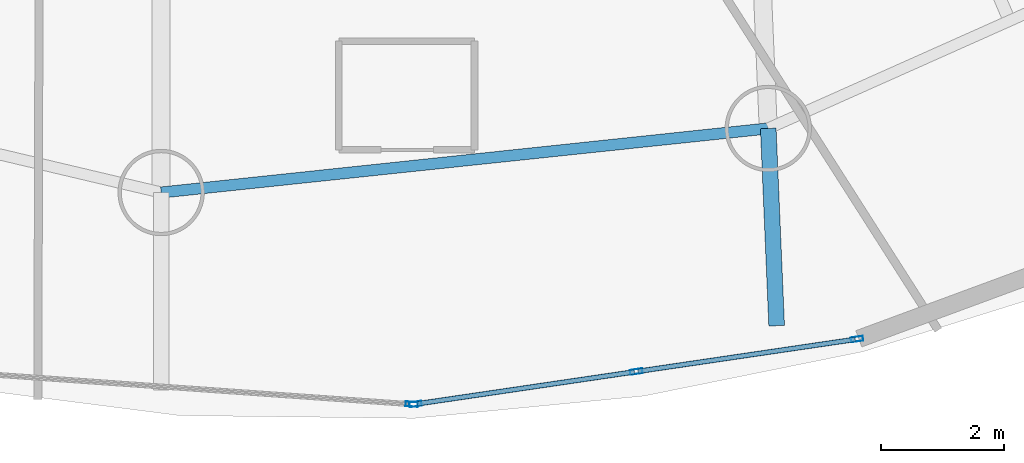
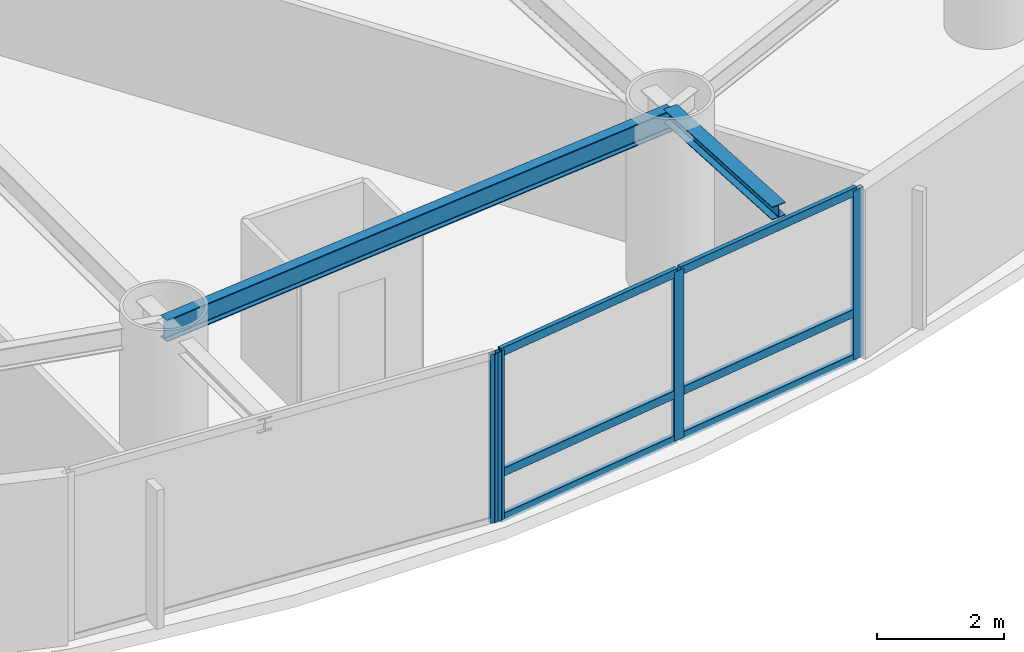
# One storey, part 8 of 22: 10 members, 2 beams, 2 elements without a shape of their own.
"""IFC4 building model written with IfcOpenShell, lengths in metres."""

import ifcopenshell
import ifcopenshell.guid

model = None  # the IFC model being written
_history = None  # IfcOwnerHistory: only IFC2X3 demands one
_inside = {}  # id of a spatial element -> (the spatial element, [elements in it])
_under = {}  # id of a project, library or spatial element -> (it, [spatial elements below it])
_declared = {}  # id of a project -> (the project, [libraries it declares])
_typed = {}  # id of a type object -> (the type object, [elements of that type])
_made_of = {}  # id of a material, layer set ... -> (it, [elements and type objects made of it])


def new_model(schema):
    """Start an empty IFC model of exactly this schema.

    Asked for "IFC4X3", IfcOpenShell would pick the latest addendum, in which some entities
    have other attributes; the version numbers below select the first issue.
    IFC2X3 requires an IfcOwnerHistory on every rooted entity: one is made here for all.
    """
    global model, _history
    if schema == "IFC4X3":
        model = ifcopenshell.file(schema_version=(4, 3, 0, 0))
    else:
        model = ifcopenshell.file(schema=schema)
    _inside.clear()
    _under.clear()
    _declared.clear()
    _typed.clear()
    _made_of.clear()
    _history = None
    if model.schema == "IFC2X3":
        org = make("IfcOrganization", Name="unknown")
        user = make(
            "IfcPersonAndOrganization",
            ThePerson=make("IfcPerson", FamilyName="unknown"),
            TheOrganization=org,
        )
        app = make(
            "IfcApplication",
            ApplicationDeveloper=org,
            Version="unknown",
            ApplicationFullName="unknown",
            ApplicationIdentifier="unknown",
        )
        _history = make(
            "IfcOwnerHistory",
            OwningUser=user,
            OwningApplication=app,
            ChangeAction="ADDED",
            CreationDate=0,
        )
    return model


def make(cls, **values):
    """One entity of the class cls with the attributes given. An attribute that is None is left unset."""
    return model.create_entity(
        cls, **{name: value for name, value in values.items() if value is not None}
    )


def rooted(cls, **values):
    """An entity with a GlobalId (a new one), such as an element, a storey or a relation."""
    return make(cls, GlobalId=ifcopenshell.guid.new(), OwnerHistory=_history, **values)


def si_unit(unit_type, name, prefix=None):
    """IfcSIUnit, for example si_unit("LENGTHUNIT", "METRE", prefix="MILLI")."""
    return make("IfcSIUnit", UnitType=unit_type, Prefix=prefix, Name=name)


def assignment(units):
    """IfcUnitAssignment: the units of a project."""
    return None if units is None else make("IfcUnitAssignment", Units=units)


def point(xyz):
    """IfcCartesianPoint."""
    return None if xyz is None else make("IfcCartesianPoint", Coordinates=xyz)


def direction(xyz):
    """IfcDirection."""
    return None if xyz is None else make("IfcDirection", DirectionRatios=xyz)


def frame(location, z_axis=None, x_axis=None):
    """IfcAxis2Placement3D, a coordinate frame: its origin and axes. An axis left out is left unset."""
    return make(
        "IfcAxis2Placement3D",
        Location=point(location),
        Axis=direction(z_axis),
        RefDirection=direction(x_axis),
    )


def frame_2d(location, x_axis=None):
    """IfcAxis2Placement2D, a coordinate frame in the plane: its origin and x axis."""
    return make(
        "IfcAxis2Placement2D", Location=point(location), RefDirection=direction(x_axis)
    )


def origin():
    """The frame at (0, 0, 0) with its axes left unset."""
    return frame((0.0, 0.0, 0.0))


def origin_2d():
    """The frame at (0, 0) in the plane with its x axis left unset."""
    return frame_2d((0.0, 0.0))


def place(relative_to, where):
    """IfcLocalPlacement: puts the frame where relative to a parent placement (None: the world)."""
    return make(
        "IfcLocalPlacement", PlacementRelTo=relative_to, RelativePlacement=where
    )


def context(
    kind, dimensions, precision=None, world=None, true_north=None, identifier=None
):
    """IfcGeometricRepresentationContext, for example the 3D "Model" context."""
    return make(
        "IfcGeometricRepresentationContext",
        ContextIdentifier=identifier,
        ContextType=kind,
        CoordinateSpaceDimension=dimensions,
        Precision=precision,
        WorldCoordinateSystem=world,
        TrueNorth=true_north,
    )


def subcontext(parent, identifier, kind, view, scale=None):
    """IfcGeometricRepresentationSubContext, for example "Body" below "Model"."""
    return make(
        "IfcGeometricRepresentationSubContext",
        ContextIdentifier=identifier,
        ContextType=kind,
        ParentContext=parent,
        TargetScale=scale,
        TargetView=view,
    )


def project(units=None, contexts=None):
    """IfcProject with its units and contexts."""
    return rooted(
        "IfcProject",
        Name="project",
        RepresentationContexts=contexts,
        UnitsInContext=assignment(units),
    )


def spatial(cls, under=None, at=None, **own):
    """A site, building, storey or space (cls), placed at a placement, below another one or the project."""
    s = rooted(cls, ObjectPlacement=at, **own)
    if under is not None:
        _under.setdefault(under.id(), (under, []))[1].append(s)
    return s


def profile(cls, at=None, kind="AREA", **sizes):
    """A parametric profile (cls). Its sizes go by their IFC names, for example OverallWidth=200.0."""
    return make(cls, ProfileType=kind, Position=at, **sizes)


def hollow_rectangle(**sizes):
    """IfcRectangleHollowProfileDef."""
    return profile("IfcRectangleHollowProfileDef", **sizes)


def i_section(**sizes):
    """IfcIShapeProfileDef."""
    return profile("IfcIShapeProfileDef", **sizes)


def extrude(swept, where, along, depth):
    """IfcExtrudedAreaSolid: the profile swept, set in the frame where, extruded along a direction by depth."""
    return make(
        "IfcExtrudedAreaSolid",
        SweptArea=swept,
        Position=where,
        ExtrudedDirection=direction(along),
        Depth=depth,
    )


def shape(context_of_items, identifier, shape_type, items):
    """IfcShapeRepresentation: the items that make up one representation, for example the "Body"."""
    return make(
        "IfcShapeRepresentation",
        ContextOfItems=context_of_items,
        RepresentationIdentifier=identifier,
        RepresentationType=shape_type,
        Items=items,
    )


def material(Name=None, Category=None):
    """IfcMaterial."""
    return make("IfcMaterial", Name=Name, Category=Category)


def layer(
    of_material, thickness, ventilated=None, Name=None, Category=None, Priority=None
):
    """IfcMaterialLayer: one layer of a wall or slab, of a material (None: an air gap)."""
    return make(
        "IfcMaterialLayer",
        Material=of_material,
        LayerThickness=thickness,
        IsVentilated=ventilated,
        Name=Name,
        Category=Category,
        Priority=Priority,
    )


def layer_set(layers, Name=None):
    """IfcMaterialLayerSet."""
    return make("IfcMaterialLayerSet", MaterialLayers=layers, LayerSetName=Name)


def material_profile(
    of_material, cross_section, Name=None, Category=None, Priority=None
):
    """IfcMaterialProfile: a cross section and its material."""
    return make(
        "IfcMaterialProfile",
        Name=Name,
        Material=of_material,
        Profile=cross_section,
        Priority=Priority,
        Category=Category,
    )


def profile_set(profiles, Name=None, composite=None):
    """IfcMaterialProfileSet."""
    return make(
        "IfcMaterialProfileSet",
        Name=Name,
        MaterialProfiles=profiles,
        CompositeProfile=composite,
    )


def made_of(thing, what):
    """Note that an element or type object is made of a material, layer set ...; save() writes the relation."""
    if what is not None:
        _made_of.setdefault(what.id(), (what, []))[1].append(thing)
    return thing


def type_object(cls, material=None, **own):
    """A type object (cls), such as IfcWallType, which elements share."""
    return made_of(rooted(cls, **own), material)


def element(
    cls,
    number,
    at=None,
    inside=None,
    cuts=None,
    type_object=None,
    material=None,
    context=None,
    identifier="Body",
    shape_type=None,
    held_by="IfcProductDefinitionShape",
    body=None,
    shapes=None,
    **own,
):
    """One element of the class cls, such as IfcWall. Its Tag is "e" and its number.

    at: its placement. inside: the storey or other place that contains it. cuts: it is an
    opening in that element (IfcRelVoidsElement). A single representation is given by context,
    identifier, shape_type and body (its items); several are given by shapes. held_by: the class
    of the entity that holds the representations. save() writes the other relations.
    """
    e = rooted(cls, Tag="e%d" % number, ObjectPlacement=at, **own)
    if body is not None:
        shapes = [shape(context, identifier, shape_type, body)]
    if shapes is not None:
        e.Representation = make(held_by, Representations=shapes)
    if inside is not None:
        _inside.setdefault(inside.id(), (inside, []))[1].append(e)
    if cuts is not None:
        rooted(
            "IfcRelVoidsElement", RelatingBuildingElement=cuts, RelatedOpeningElement=e
        )
    if type_object is not None:
        _typed.setdefault(type_object.id(), (type_object, []))[1].append(e)
    return made_of(e, material)


def aggregate(whole, parts):
    """IfcRelAggregates: a whole, such as a stair, and the parts it consists of."""
    return rooted("IfcRelAggregates", RelatingObject=whole, RelatedObjects=parts)


def save(model, path):
    """Write the relations noted so far, then the file.

    IfcRelAggregates (storeys below a building ...), IfcRelContainedInSpatialStructure (elements
    in a storey), IfcRelDefinesByType, IfcRelAssociatesMaterial and IfcRelDeclares: one each for
    every whole, place, type object, material and project.
    """
    for whole, parts in _under.values():
        aggregate(whole, parts)
    for where, things in _inside.values():
        rooted(
            "IfcRelContainedInSpatialStructure",
            RelatedElements=things,
            RelatingStructure=where,
        )
    for kind, things in _typed.values():
        rooted("IfcRelDefinesByType", RelatedObjects=things, RelatingType=kind)
    for what, things in _made_of.values():
        rooted("IfcRelAssociatesMaterial", RelatedObjects=things, RelatingMaterial=what)
    for by, libraries in _declared.values():
        rooted("IfcRelDeclares", RelatingContext=by, RelatedDefinitions=libraries)
    model.write(path)


model = new_model("IFC4")

# Units and contexts
model_context = context("Model", 3, precision=1e-05, world=origin(), true_north=direction((0.0, 1.0)))
body_context = subcontext(model_context, "Body", "Model", "MODEL_VIEW")
ifc_project = project(units=[si_unit("LENGTHUNIT", "METRE"), si_unit("AREAUNIT", "SQUARE_METRE"), si_unit("VOLUMEUNIT", "CUBIC_METRE"), si_unit("PLANEANGLEUNIT", "RADIAN"), si_unit("MASSUNIT", "GRAM", prefix="KILO")], contexts=[model_context])

# Site, building, storey
site_placement = place(None, origin())
site = spatial("IfcSite", under=ifc_project, at=site_placement, CompositionType="ELEMENT")
building_placement = place(site_placement, origin())
building = spatial("IfcBuilding", under=site, at=building_placement, Name="Bramvorn Convention Spire", CompositionType="ELEMENT")
storey_placement = place(building_placement, frame((0.0, 0.0, 134.300048828125)))
storey = spatial("IfcBuildingStorey", under=building, at=storey_placement, Name="L33", CompositionType="ELEMENT", Elevation=134.300048828125)

# Beams
ifc_material_1 = material(Name="Steel CSA G40.21 Grade 350 (350W)", Category="steel")
ifc_material_profile_1 = material_profile(ifc_material_1, i_section(OverallWidth=0.25390625, OverallDepth=0.2529296875, WebThickness=0.008544921875, FlangeThickness=0.01416015625, FilletRadius=0.011962890625, at=origin_2d()))
ifc_profile_set_1 = profile_set([ifc_material_profile_1], Name="Steel CSA G40.21 Grade 350 (350W) - W250X73")
beam_type_1 = type_object("IfcBeamType", Name="BM-W250X73", PredefinedType="BEAM", material=ifc_profile_set_1)
beam_1_placement = place(storey_placement, frame((49.76171875, 6.521240234375, 3.133544921875), z_axis=(0.042496892375, -0.999096599003, 0.0), x_axis=(0.999096599003, 0.042496892375, 0.0)))
element("IfcBeam", 1, at=beam_1_placement, inside=storey, type_object=beam_type_1, Name="L33 slab-edge cantilever tip beam MC15", PredefinedType="BEAM", context=body_context, shape_type="SweptSolid", body=[
    extrude(i_section(OverallWidth=0.25390625, OverallDepth=0.2529296875, WebThickness=0.008544921875, FlangeThickness=0.01416015625, FilletRadius=0.011962890625, at=origin_2d()), origin(), (0.0, 0.0, 1.0), 3.199951171875),
])
ifc_material_profile_2 = material_profile(ifc_material_1, i_section(OverallWidth=0.180908203125, OverallDepth=0.4169921875, WebThickness=0.010986328125, FlangeThickness=0.018310546875, FilletRadius=0.01611328125, at=origin_2d()))
ifc_profile_set_2 = profile_set([ifc_material_profile_2], Name="Steel CSA G40.21 Grade 350 (350W) - W410X85")
beam_type_2 = type_object("IfcBeamType", Name="BM-W410X85", PredefinedType="JOIST", material=ifc_profile_set_2)
beam_2_placement = place(storey_placement, frame((39.924072265625, 5.482666015625, 3.051513671875), z_axis=(0.994473491975, 0.104987969596, 0.0), x_axis=(-0.104987969596, 0.994473491975, 0.0)))
element("IfcBeam", 2, at=beam_2_placement, inside=storey, type_object=beam_type_2, Name="L33 mega-column ring beam 14", PredefinedType="JOIST", context=body_context, shape_type="SweptSolid", body=[
    extrude(i_section(OverallWidth=0.180908203125, OverallDepth=0.4169921875, WebThickness=0.010986328125, FlangeThickness=0.018310546875, FilletRadius=0.01611328125, at=origin_2d()), origin(), (0.0, 0.0, 1.0), 9.892333984375),
])

# Curtain wall, member
ifc_material_2 = material(Name="Anodised Bronze Unitised Curtain Wall", Category="aluminium")
ifc_layer = layer(ifc_material_2, 0.179931640625)
ifc_layer_set = layer_set([ifc_layer], Name="Anodised Bronze Unitised Curtain Wall - CW-HTL-FRIT")
curtain_wall_type = type_object("IfcCurtainWallType", Name="CW-HTL-FRIT", PredefinedType="USERDEFINED", material=ifc_layer_set)
curtain_wall_1_placement = place(storey_placement, origin())
curtain_wall_1 = element("IfcCurtainWall", 3, at=curtain_wall_1_placement, inside=storey, type_object=curtain_wall_type, Name="L33 fritted glass curtain wall 20", ObjectType="UNITISED CURTAIN WALL", PredefinedType="USERDEFINED")
ifc_material_3 = material(Name="Anodised Bronze Aluminium 6063-T6", Category="aluminium")
ifc_material_profile_3 = material_profile(ifc_material_3, hollow_rectangle(XDim=0.080078125, YDim=0.199951171875, WallThickness=0.00390625, InnerFilletRadius=0.0009765625, OuterFilletRadius=0.00390625, at=origin_2d()))
ifc_profile_set_3 = profile_set([ifc_material_profile_3], Name="Anodised Bronze Aluminium 6063-T6 - CWM80X200")
member_type_1 = type_object("IfcMemberType", Name="CW-MUL-180", PredefinedType="MULLION", material=ifc_profile_set_3)
member_1_placement = place(storey_placement, frame((43.985595703125, 2.052001953125, 0.0), z_axis=(0.0, 0.0, 1.0), x_axis=(-0.070629242873, -0.997502636614, 0.0)))
member_1 = element("IfcMember", 4, at=member_1_placement, type_object=member_type_1, Name="CW2 mullion 1", PredefinedType="MULLION", context=body_context, shape_type="SweptSolid", body=[
    extrude(hollow_rectangle(XDim=0.080078125, YDim=0.199951171875, WallThickness=0.00390625, InnerFilletRadius=0.0009765625, OuterFilletRadius=0.00390625, at=origin_2d()), origin(), (0.0, 0.0, 1.0), 3.260009765625),
])
aggregate(curtain_wall_1, [member_1])

# Curtain wall, members
curtain_wall_2_placement = place(storey_placement, origin())
curtain_wall_2 = element("IfcCurtainWall", 5, at=curtain_wall_2_placement, inside=storey, type_object=curtain_wall_type, Name="L33 fritted glass curtain wall 21", ObjectType="UNITISED CURTAIN WALL", PredefinedType="USERDEFINED")
member_2_placement = place(storey_placement, frame((51.19970703125, 3.107666015625, 0.0), z_axis=(0.0, 0.0, 1.0), x_axis=(0.145655466692, -0.989335375402, 0.0)))
member_2 = element("IfcMember", 6, at=member_2_placement, type_object=member_type_1, Name="CW2 mullion 1", PredefinedType="MULLION", context=body_context, shape_type="SweptSolid", body=[
    extrude(hollow_rectangle(XDim=0.080078125, YDim=0.199951171875, WallThickness=0.00390625, InnerFilletRadius=0.0009765625, OuterFilletRadius=0.00390625, at=origin_2d()), origin(), (0.0, 0.0, 1.0), 3.260009765625),
])
member_3_placement = place(storey_placement, frame((47.62255859375, 2.5810546875, 0.0), z_axis=(0.0, 0.0, 1.0), x_axis=(0.145655466692, -0.989335375402, 0.0)))
member_3 = element("IfcMember", 7, at=member_3_placement, type_object=member_type_1, Name="CW2 mullion 2", PredefinedType="MULLION", context=body_context, shape_type="SweptSolid", body=[
    extrude(hollow_rectangle(XDim=0.080078125, YDim=0.199951171875, WallThickness=0.00390625, InnerFilletRadius=0.0009765625, OuterFilletRadius=0.00390625, at=origin_2d()), origin(), (0.0, 0.0, 1.0), 3.260009765625),
])
member_4_placement = place(storey_placement, frame((44.045166015625, 2.05419921875, 0.0), z_axis=(0.0, 0.0, 1.0), x_axis=(0.145655466692, -0.989335375402, 0.0)))
member_4 = element("IfcMember", 8, at=member_4_placement, type_object=member_type_1, Name="CW2 mullion 3", PredefinedType="MULLION", context=body_context, shape_type="SweptSolid", body=[
    extrude(hollow_rectangle(XDim=0.080078125, YDim=0.199951171875, WallThickness=0.00390625, InnerFilletRadius=0.0009765625, OuterFilletRadius=0.00390625, at=origin_2d()), origin(), (0.0, 0.0, 1.0), 3.260009765625),
])
ifc_material_profile_4 = material_profile(ifc_material_3, hollow_rectangle(XDim=0.080078125, YDim=0.159912109375, WallThickness=0.00390625, InnerFilletRadius=0.0009765625, OuterFilletRadius=0.00390625, at=origin_2d()))
ifc_profile_set_4 = profile_set([ifc_material_profile_4], Name="Anodised Bronze Aluminium 6063-T6 - CWT80X160")
member_type_2 = type_object("IfcMemberType", Name="CW-TRN-150", PredefinedType="USERDEFINED", material=ifc_profile_set_4)
member_5_placement = place(storey_placement, frame((51.170166015625, 3.103271484375, 0.030029296875), z_axis=(-0.989330630915, -0.145687689022, 0.0), x_axis=(0.145687689022, -0.989330630915, 0.0)))
member_5 = element("IfcMember", 9, at=member_5_placement, type_object=member_type_2, Name="CW2 transom 1.1", ObjectType="TRANSOM", PredefinedType="USERDEFINED", context=body_context, shape_type="SweptSolid", body=[
    extrude(hollow_rectangle(XDim=0.080078125, YDim=0.159912109375, WallThickness=0.00390625, InnerFilletRadius=0.0009765625, OuterFilletRadius=0.00390625, at=origin_2d()), origin(), (0.0, 0.0, 1.0), 3.555908203125),
])
member_6_placement = place(storey_placement, frame((51.170166015625, 3.103271484375, 0.89990234375), z_axis=(-0.989330630915, -0.145687689022, 0.0), x_axis=(0.145687689022, -0.989330630915, 0.0)))
member_6 = element("IfcMember", 10, at=member_6_placement, type_object=member_type_2, Name="CW2 transom 1.2", ObjectType="TRANSOM", PredefinedType="USERDEFINED", context=body_context, shape_type="SweptSolid", body=[
    extrude(hollow_rectangle(XDim=0.080078125, YDim=0.159912109375, WallThickness=0.00390625, InnerFilletRadius=0.0009765625, OuterFilletRadius=0.00390625, at=origin_2d()), origin(), (0.0, 0.0, 1.0), 3.555908203125),
])
member_7_placement = place(storey_placement, frame((51.170166015625, 3.103271484375, 3.22998046875), z_axis=(-0.989330630915, -0.145687689022, 0.0), x_axis=(0.145687689022, -0.989330630915, 0.0)))
member_7 = element("IfcMember", 11, at=member_7_placement, type_object=member_type_2, Name="CW2 transom 1.3", ObjectType="TRANSOM", PredefinedType="USERDEFINED", context=body_context, shape_type="SweptSolid", body=[
    extrude(hollow_rectangle(XDim=0.080078125, YDim=0.159912109375, WallThickness=0.00390625, InnerFilletRadius=0.0009765625, OuterFilletRadius=0.00390625, at=origin_2d()), origin(), (0.0, 0.0, 1.0), 3.555908203125),
])
member_8_placement = place(storey_placement, frame((47.5927734375, 2.57666015625, 0.030029296875), z_axis=(-0.989330630915, -0.145687689022, 0.0), x_axis=(0.145687689022, -0.989330630915, 0.0)))
member_8 = element("IfcMember", 12, at=member_8_placement, type_object=member_type_2, Name="CW2 transom 2.1", ObjectType="TRANSOM", PredefinedType="USERDEFINED", context=body_context, shape_type="SweptSolid", body=[
    extrude(hollow_rectangle(XDim=0.080078125, YDim=0.159912109375, WallThickness=0.00390625, InnerFilletRadius=0.0009765625, OuterFilletRadius=0.00390625, at=origin_2d()), origin(), (0.0, 0.0, 1.0), 3.555908203125),
])
member_9_placement = place(storey_placement, frame((47.5927734375, 2.57666015625, 0.89990234375), z_axis=(-0.989330630915, -0.145687689022, 0.0), x_axis=(0.145687689022, -0.989330630915, 0.0)))
member_9 = element("IfcMember", 13, at=member_9_placement, type_object=member_type_2, Name="CW2 transom 2.2", ObjectType="TRANSOM", PredefinedType="USERDEFINED", context=body_context, shape_type="SweptSolid", body=[
    extrude(hollow_rectangle(XDim=0.080078125, YDim=0.159912109375, WallThickness=0.00390625, InnerFilletRadius=0.0009765625, OuterFilletRadius=0.00390625, at=origin_2d()), origin(), (0.0, 0.0, 1.0), 3.555908203125),
])
member_10_placement = place(storey_placement, frame((47.5927734375, 2.57666015625, 3.22998046875), z_axis=(-0.989330630915, -0.145687689022, 0.0), x_axis=(0.145687689022, -0.989330630915, 0.0)))
member_10 = element("IfcMember", 14, at=member_10_placement, type_object=member_type_2, Name="CW2 transom 2.3", ObjectType="TRANSOM", PredefinedType="USERDEFINED", context=body_context, shape_type="SweptSolid", body=[
    extrude(hollow_rectangle(XDim=0.080078125, YDim=0.159912109375, WallThickness=0.00390625, InnerFilletRadius=0.0009765625, OuterFilletRadius=0.00390625, at=origin_2d()), origin(), (0.0, 0.0, 1.0), 3.555908203125),
])
aggregate(curtain_wall_2, [member_2, member_3, member_4, member_5, member_6, member_7, member_8, member_9, member_10])

save(model, "model.ifc")
